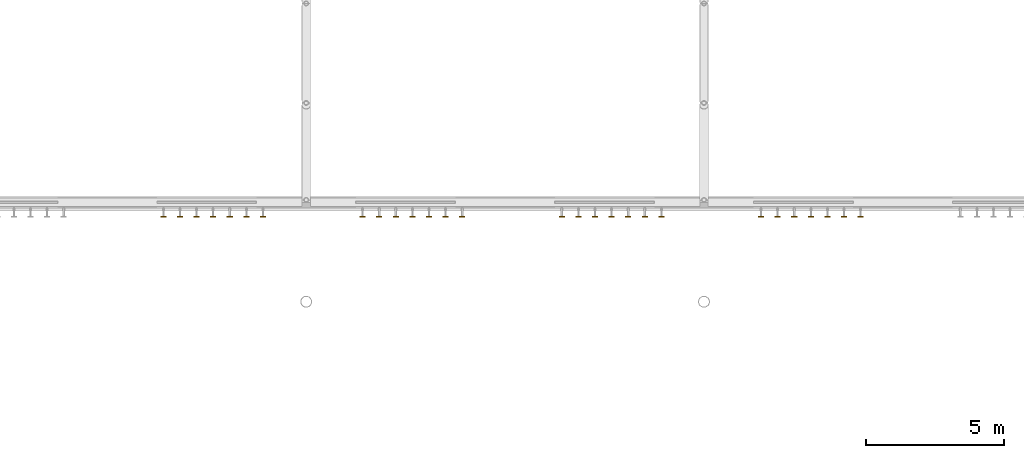
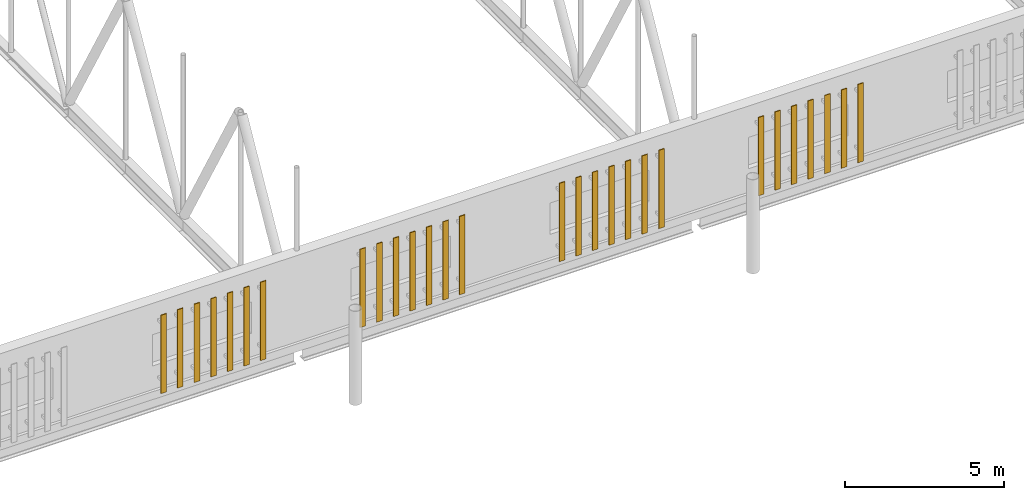
# One storey, part 121 of 142: 28 shading devices.
"""IFC4 building model written with IfcOpenShell, lengths in metres."""

from ifc_helpers import new_model, si_unit, direction, frame, origin, origin_2d, place, context, subcontext, project, spatial, rectangle, extrude, material, layer, layer_set, type_object, element, save


model = new_model("IFC4")

# Units and contexts
model_context = context("Model", 3, precision=1e-05, world=origin(), true_north=direction((0.0, 1.0)))
body_context = subcontext(model_context, "Body", "Model", "MODEL_VIEW")
ifc_project = project(units=[si_unit("LENGTHUNIT", "METRE"), si_unit("AREAUNIT", "SQUARE_METRE"), si_unit("VOLUMEUNIT", "CUBIC_METRE"), si_unit("PLANEANGLEUNIT", "RADIAN"), si_unit("MASSUNIT", "GRAM", prefix="KILO")], contexts=[model_context])

# Site, building, storey
site_placement = place(None, origin())
site = spatial("IfcSite", under=ifc_project, at=site_placement, CompositionType="ELEMENT")
building_placement = place(site_placement, origin())
building = spatial("IfcBuilding", under=site, at=building_placement, Name="Kupolbacken Congress Centre", CompositionType="ELEMENT")
storey_placement = place(building_placement, frame((0.0, 0.0, 14.39990234375)))
storey = spatial("IfcBuildingStorey", under=building, at=storey_placement, Name="L04", CompositionType="ELEMENT", Elevation=14.39990234375)

# Shading devices
ifc_material = material(Name="Aluminium alloy louvre", Category="aluminium")
ifc_layer = layer(ifc_material, 0.030029296875)
ifc_layer_set = layer_set([ifc_layer], Name="Aluminium alloy louvre")
shading_device_type = type_object("IfcShadingDeviceType", Name="SC1 louvre blade 30 x 200", PredefinedType="JALOUSIE", material=ifc_layer_set)
for number, where, z_axis, x_axis, name in (
    (1, (102.827880859375, 42.675048828125, 0.300048828125), (0.0, 0.0, 1.0), (1.0, 0.0, 0.0), "E/brise/S/L04/439/B27"),
    (2, (103.428955078125, 42.675048828125, 0.300048828125), (0.0, 0.0, 1.0), (1.0, 0.0, 0.0), "E/brise/S/L04/439/B28"),
    (3, (104.030029296875, 42.675048828125, 0.300048828125), (0.0, 0.0, 1.0), (1.0, 0.0, 0.0), "E/brise/S/L04/439/B29"),
    (4, (104.631103515625, 42.675048828125, 0.300048828125), (0.0, 0.0, 1.0), (1.0, 0.0, 0.0), "E/brise/S/L04/439/B30"),
    (5, (105.232177734375, 42.675048828125, 0.300048828125), (0.0, 0.0, 1.0), (1.0, 0.0, 0.0), "E/brise/S/L04/439/B31"),
    (6, (105.833251953125, 42.675048828125, 0.300048828125), (0.0, 0.0, 1.0), (1.0, 0.0, 0.0), "E/brise/S/L04/439/B32"),
    (7, (106.434326171875, 42.675048828125, 0.300048828125), (0.0, 0.0, 1.0), (1.0, 0.0, 0.0), "E/brise/S/L04/439/B33"),
    (8, (110.04052734375, 42.675048828125, 0.300048828125), (0.0, 0.0, 1.0), (1.0, 0.0, 0.0), "E/brise/S/L04/439/B39"),
    (9, (110.6416015625, 42.675048828125, 0.300048828125), (0.0, 0.0, 1.0), (1.0, 0.0, 0.0), "E/brise/S/L04/439/B40"),
    (10, (111.24267578125, 42.675048828125, 0.300048828125), (0.0, 0.0, 1.0), (1.0, 0.0, 0.0), "E/brise/S/L04/439/B41"),
    (11, (111.84375, 42.675048828125, 0.300048828125), (0.0, 0.0, 1.0), (1.0, 0.0, 0.0), "E/brise/S/L04/439/B42"),
    (12, (112.44482421875, 42.675048828125, 0.300048828125), (0.0, 0.0, 1.0), (1.0, 0.0, 0.0), "E/brise/S/L04/439/B43"),
    (13, (113.0458984375, 42.675048828125, 0.300048828125), (0.0, 0.0, 1.0), (1.0, 0.0, 0.0), "E/brise/S/L04/439/B44"),
    (14, (113.646728515625, 42.675048828125, 0.300048828125), (0.0, 0.0, 1.0), (1.0, 0.0, 0.0), "E/brise/S/L04/439/B45"),
    (15, (117.253173828125, 42.675048828125, 0.300048828125), (0.0, 0.0, 1.0), (1.0, 0.0, 0.0), "E/brise/S/L04/439/B51"),
    (16, (117.854248046875, 42.675048828125, 0.300048828125), (0.0, 0.0, 1.0), (1.0, 0.0, 0.0), "E/brise/S/L04/439/B52"),
    (17, (118.455322265625, 42.675048828125, 0.300048828125), (0.0, 0.0, 1.0), (1.0, 0.0, 0.0), "E/brise/S/L04/439/B53"),
    (18, (119.056396484375, 42.675048828125, 0.300048828125), (0.0, 0.0, 1.0), (1.0, 0.0, 0.0), "E/brise/S/L04/439/B54"),
    (19, (119.657470703125, 42.675048828125, 0.300048828125), (0.0, 0.0, 1.0), (1.0, 0.0, 0.0), "E/brise/S/L04/439/B55"),
    (20, (120.25830078125, 42.675048828125, 0.300048828125), (0.0, 0.0, 1.0), (1.0, 0.0, 0.0), "E/brise/S/L04/439/B56"),
    (21, (120.859375, 42.675048828125, 0.300048828125), (0.0, 0.0, 1.0), (1.0, 0.0, 0.0), "E/brise/S/L04/439/B57"),
    (22, (124.4658203125, 42.675048828125, 0.300048828125), (0.0, 0.0, 1.0), (1.0, 0.0, 0.0), "E/brise/S/L04/439/B63"),
    (23, (125.06689453125, 42.675048828125, 0.300048828125), (0.0, 0.0, 1.0), (1.0, 0.0, 0.0), "E/brise/S/L04/439/B64"),
    (24, (125.66796875, 42.675048828125, 0.300048828125), (0.0, 0.0, 1.0), (1.0, 0.0, 0.0), "E/brise/S/L04/439/B65"),
    (25, (126.26904296875, 42.675048828125, 0.300048828125), (0.0, 0.0, 1.0), (1.0, 0.0, 0.0), "E/brise/S/L04/439/B66"),
    (26, (126.8701171875, 42.675048828125, 0.300048828125), (0.0, 0.0, 1.0), (1.0, 0.0, 0.0), "E/brise/S/L04/439/B67"),
    (27, (127.470947265625, 42.675048828125, 0.300048828125), (0.0, 0.0, 1.0), (1.0, 0.0, 0.0), "E/brise/S/L04/439/B68"),
    (28, (128.072021484375, 42.675048828125, 0.300048828125), (0.0, 0.0, 1.0), (1.0, 0.0, 0.0), "E/brise/S/L04/439/B69"),
):
    element("IfcShadingDevice", number, at=place(storey_placement, frame(where, z_axis=z_axis, x_axis=x_axis)), inside=storey, type_object=shading_device_type, Name=name, PredefinedType="JALOUSIE", context=body_context, shape_type="SweptSolid", body=[
        extrude(rectangle(XDim=0.199951171875, YDim=0.030029296875, at=origin_2d()), origin(), (0.0, 0.0, 1.0), 3.0),
    ])

save(model, "model.ifc")
